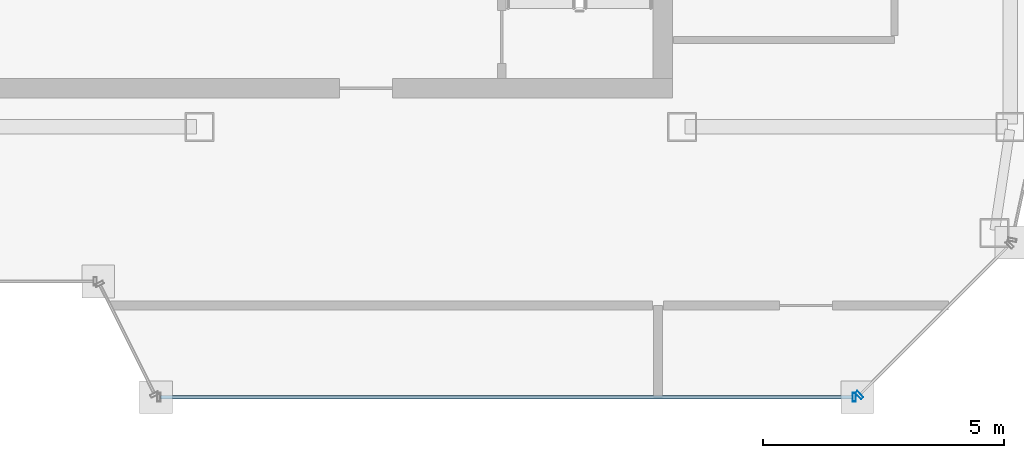
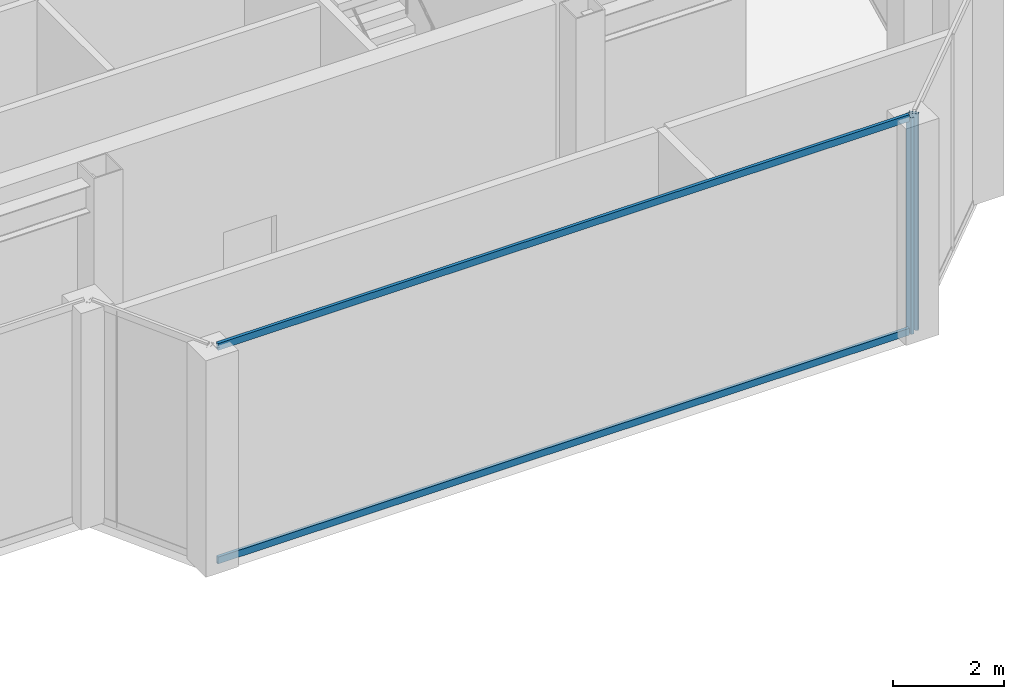
# One storey, part 10 of 20: 4 members, 2 elements without a shape of their own.
"""IFC4 building model written with IfcOpenShell, lengths in metres."""

from ifc_helpers import new_model, si_unit, direction, frame, origin, origin_2d, place, context, subcontext, project, spatial, hollow_rectangle, extrude, material, material_profile, profile_set, type_object, element, aggregate, save


model = new_model("IFC4")

# Units and contexts
model_context = context("Model", 3, precision=1e-05, world=origin(), true_north=direction((0.0, 1.0)))
body_context = subcontext(model_context, "Body", "Model", "MODEL_VIEW")
ifc_project = project(units=[si_unit("LENGTHUNIT", "METRE"), si_unit("AREAUNIT", "SQUARE_METRE"), si_unit("VOLUMEUNIT", "CUBIC_METRE"), si_unit("PLANEANGLEUNIT", "RADIAN"), si_unit("MASSUNIT", "GRAM", prefix="KILO")], contexts=[model_context])

# Site, building, storey
site_placement = place(None, origin())
site = spatial("IfcSite", under=ifc_project, at=site_placement, CompositionType="ELEMENT")
building_placement = place(site_placement, origin())
building = spatial("IfcBuilding", under=site, at=building_placement, Name="Saevonmaru Cultural Tower", CompositionType="ELEMENT")
storey_placement = place(building_placement, frame((0.0, 0.0, 314.199951171875)))
storey = spatial("IfcBuildingStorey", under=building, at=storey_placement, Name="L75", CompositionType="ELEMENT", Elevation=314.199951171875)

# Curtain wall, member
ifc_material = material(Name="Satin Bronze Anodised Aluminium", Category="aluminium")
curtain_wall_type = type_object("IfcCurtainWallType", Name="CW-TYP-B", PredefinedType="NOTDEFINED", material=ifc_material)
curtain_wall_1_placement = place(storey_placement, origin())
curtain_wall_1 = element("IfcCurtainWall", 1, at=curtain_wall_1_placement, inside=storey, type_object=curtain_wall_type, Name="L75 Wind-Floor Acoustic Louvre Screen E6", PredefinedType="NOTDEFINED")
ifc_material_profile_1 = material_profile(ifc_material, hollow_rectangle(XDim=0.06494140625, YDim=0.179931640625, WallThickness=0.00390625, at=origin_2d()), Name="ALU-MULL-180x65x4")
ifc_profile_set_1 = profile_set([ifc_material_profile_1], Name="Satin Bronze Anodised Aluminium")
member_type_1 = type_object("IfcMemberType", Name="ML-CW-180x65", PredefinedType="MULLION", material=ifc_profile_set_1)
member_1_placement = place(storey_placement, frame((49.966796875, 36.800048828125, 0.0), z_axis=(0.0, 0.0, 1.0), x_axis=(1.0, 0.0, 0.0)))
member_1 = element("IfcMember", 2, at=member_1_placement, type_object=member_type_1, Name="CW-TW-L75-E6 mullion 2", PredefinedType="MULLION", context=body_context, shape_type="SweptSolid", body=[
    extrude(hollow_rectangle(XDim=0.06494140625, YDim=0.179931640625, WallThickness=0.00390625, at=origin_2d()), origin(), (0.0, 0.0, 1.0), 4.75),
])

curtain_wall_2_placement = place(storey_placement, origin())
curtain_wall_2 = element("IfcCurtainWall", 3, at=curtain_wall_2_placement, inside=storey, type_object=curtain_wall_type, Name="L75 Wind-Floor Acoustic Louvre Screen E7", PredefinedType="NOTDEFINED")
member_2_placement = place(storey_placement, frame((50.069091796875, 36.84228515625, 0.0), z_axis=(0.0, 0.0, 1.0), x_axis=(0.707106781187, 0.707106781187, 0.0)))
member_2 = element("IfcMember", 4, at=member_2_placement, type_object=member_type_1, Name="CW-TW-L75-E7 mullion 1", PredefinedType="MULLION", context=body_context, shape_type="SweptSolid", body=[
    extrude(hollow_rectangle(XDim=0.06494140625, YDim=0.179931640625, WallThickness=0.00390625, at=origin_2d()), origin(), (0.0, 0.0, 1.0), 4.75),
])
aggregate(curtain_wall_2, [member_2])

# Member
ifc_material_profile_2 = material_profile(ifc_material, hollow_rectangle(XDim=0.06494140625, YDim=0.14990234375, WallThickness=0.00390625, at=origin_2d()), Name="ALU-TRAN-150x65x4")
ifc_profile_set_2 = profile_set([ifc_material_profile_2], Name="Satin Bronze Anodised Aluminium")
member_type_2 = type_object("IfcMemberType", Name="TR-CW-150x65", PredefinedType="USERDEFINED", material=ifc_profile_set_2)
member_3_placement = place(storey_placement, frame((35.592529296875, 36.800048828125, 0.032470703125), z_axis=(1.0, 0.0, 0.0), x_axis=(0.0, 1.0, 0.0)))
member_3 = element("IfcMember", 5, at=member_3_placement, type_object=member_type_2, Name="CW-TW-L75-E6 transom 1.1", ObjectType="TRANSOM", PredefinedType="USERDEFINED", context=body_context, shape_type="SweptSolid", body=[
    extrude(hollow_rectangle(XDim=0.06494140625, YDim=0.14990234375, WallThickness=0.00390625, at=origin_2d()), origin(), (0.0, 0.0, 1.0), 14.341552734375),
])

member_4_placement = place(storey_placement, frame((35.592529296875, 36.800048828125, 4.717529296875), z_axis=(1.0, 0.0, 0.0), x_axis=(0.0, 1.0, 0.0)))
member_4 = element("IfcMember", 6, at=member_4_placement, type_object=member_type_2, Name="CW-TW-L75-E6 transom 1.2", ObjectType="TRANSOM", PredefinedType="USERDEFINED", context=body_context, shape_type="SweptSolid", body=[
    extrude(hollow_rectangle(XDim=0.06494140625, YDim=0.14990234375, WallThickness=0.00390625, at=origin_2d()), origin(), (0.0, 0.0, 1.0), 14.341552734375),
])

aggregate(curtain_wall_1, [member_1, member_3, member_4])

save(model, "model.ifc")
